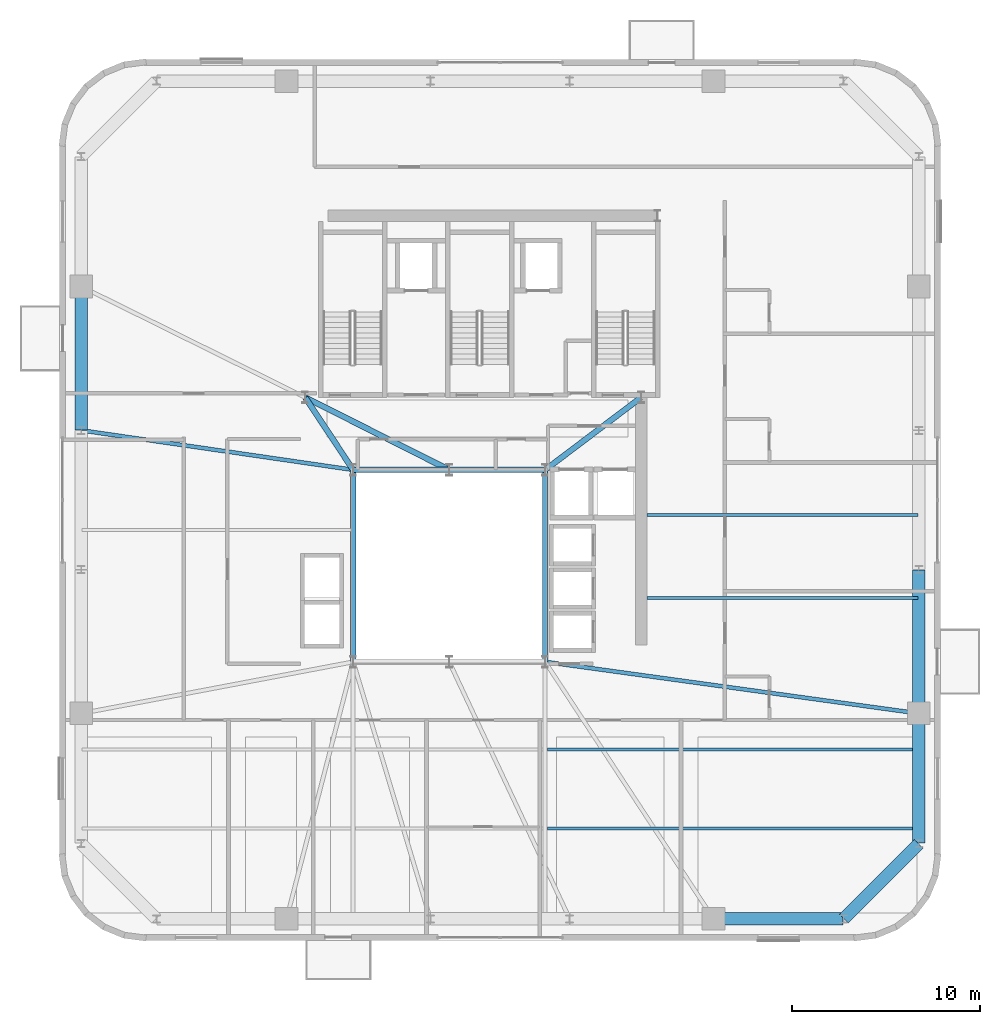
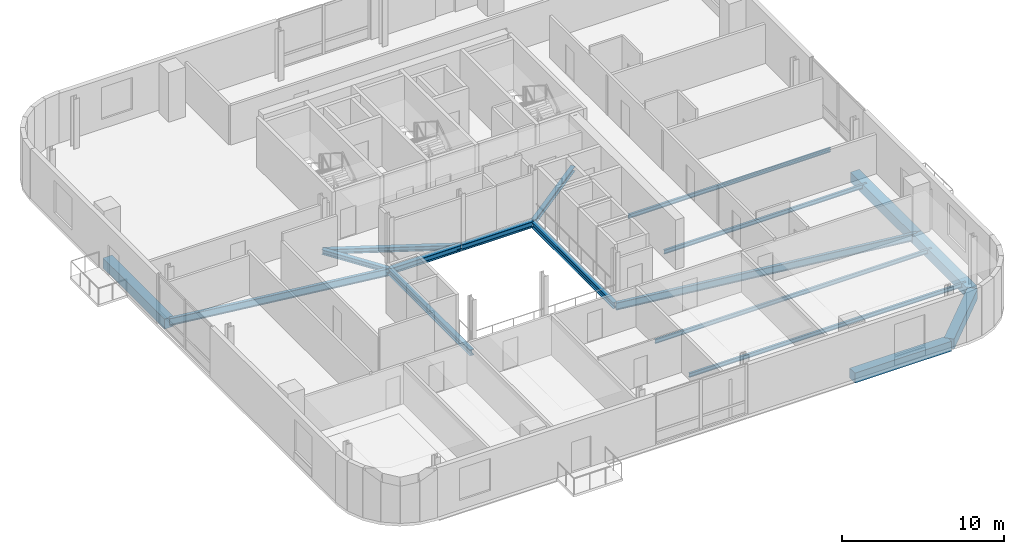
# One storey, part 4 of 15: 18 beams.
"""IFC4 building model written with IfcOpenShell, lengths in metres."""

from ifc_helpers import new_model, si_unit, direction, frame, origin, origin_2d, place, context, subcontext, project, spatial, rectangle, i_section, extrude, source, transform, mapped, material, material_profile, profile_set, type_object, element, save


model = new_model("IFC4")

# Units and contexts
model_context = context("Model", 3, precision=1e-05, world=origin(), true_north=direction((0.0, 1.0)))
body_context = subcontext(model_context, "Body", "Model", "MODEL_VIEW")
ifc_project = project(units=[si_unit("LENGTHUNIT", "METRE"), si_unit("AREAUNIT", "SQUARE_METRE"), si_unit("VOLUMEUNIT", "CUBIC_METRE"), si_unit("PLANEANGLEUNIT", "RADIAN"), si_unit("MASSUNIT", "GRAM", prefix="KILO")], contexts=[model_context])

# Site, building, storey
site_placement = place(None, origin())
site = spatial("IfcSite", under=ifc_project, at=site_placement, CompositionType="ELEMENT")
building_placement = place(site_placement, origin())
building = spatial("IfcBuilding", under=site, at=building_placement, Name="Vardaveli Station Tower", CompositionType="ELEMENT")
storey_placement = place(building_placement, frame((0.0, 0.0, 246.64990234375)))
storey = spatial("IfcBuildingStorey", under=building, at=storey_placement, Name="L63", CompositionType="ELEMENT", Elevation=246.64990234375)

# Beams
ifc_material_1 = material(Name="Structural steel S355J2", Category="steel")
ifc_material_profile_1 = material_profile(ifc_material_1, i_section(OverallWidth=0.300048828125, OverallDepth=0.449951171875, WebThickness=0.013916015625, FlangeThickness=0.02587890625, FilletRadius=0.027099609375, at=origin_2d()), Name="HEB 450")
ifc_profile_set_1 = profile_set([ifc_material_profile_1], Name="Structural steel S355J2")
beam_type_1 = type_object("IfcBeamType", Name="BM-HEB450", PredefinedType="BEAM", material=ifc_profile_set_1)
shared_shape_1 = source(origin(), body_context, "Body", "SweptSolid", [
    extrude(i_section(OverallWidth=0.300048828125, OverallDepth=0.449951171875, WebThickness=0.013916015625, FlangeThickness=0.02587890625, FilletRadius=0.027099609375, at=origin_2d()), origin(), (0.0, 0.0, 1.0), 5.06005859375),
])
beam_1_placement = place(storey_placement, frame((36.280029296875, 26.800048828125, -0.44482421875), z_axis=(-1.0, 0.0, 0.0), x_axis=(0.0, -1.0, 0.0)))
element("IfcBeam", 1, at=beam_1_placement, inside=storey, type_object=beam_type_1, Name="ABM-L63-05", PredefinedType="BEAM", context=body_context, shape_type="MappedRepresentation", body=[
    mapped(shared_shape_1, transform((0.0, 0.0, 0.0), scale=1.0)),
])
shared_shape_2 = source(origin(), body_context, "Body", "SweptSolid", [
    extrude(i_section(OverallWidth=0.300048828125, OverallDepth=0.449951171875, WebThickness=0.013916015625, FlangeThickness=0.02587890625, FilletRadius=0.027099609375, at=origin_2d()), origin(), (0.0, 0.0, 1.0), 5.059814453125),
])
beam_2_placement = place(storey_placement, frame((41.3798828125, 26.800048828125, -0.44482421875), z_axis=(-1.0, 0.0, 0.0), x_axis=(0.0, -1.0, 0.0)))
element("IfcBeam", 2, at=beam_2_placement, inside=storey, type_object=beam_type_1, Name="ABM-L63-04", PredefinedType="BEAM", context=body_context, shape_type="MappedRepresentation", body=[
    mapped(shared_shape_2, transform((0.0, 0.0, 0.0), scale=1.0)),
])
shared_shape_3 = source(origin(), body_context, "Body", "SweptSolid", [
    extrude(i_section(OverallWidth=0.300048828125, OverallDepth=0.449951171875, WebThickness=0.013916015625, FlangeThickness=0.02587890625, FilletRadius=0.027099609375, at=origin_2d()), origin(), (0.0, 0.0, 1.0), 10.159912109375),
])
for number, where, z_axis, x_axis, name in (
    (3, (41.39990234375, 16.6201171875, -0.44482421875), (0.0, 1.0, 0.0), (-1.0, 0.0, 0.0), "ABM-L63-03"),
    (4, (31.199951171875, 26.780029296875, -0.44482421875), (0.0, -1.0, 0.0), (1.0, 0.0, 0.0), "ABM-L63-06"),
):
    element("IfcBeam", number, at=place(storey_placement, frame(where, z_axis=z_axis, x_axis=x_axis)), inside=storey, type_object=beam_type_1, Name=name, PredefinedType="BEAM", context=body_context, shape_type="MappedRepresentation", body=[
        mapped(shared_shape_3, transform((0.0, 0.0, 0.0), scale=1.0)),
    ])
ifc_material_profile_2 = material_profile(ifc_material_1, i_section(OverallWidth=0.300048828125, OverallDepth=0.360107421875, WebThickness=0.012451171875, FlangeThickness=0.0224609375, FilletRadius=0.027099609375, at=origin_2d()), Name="HEB 360")
ifc_profile_set_2 = profile_set([ifc_material_profile_2], Name="Structural steel S355J2")
beam_type_2 = type_object("IfcBeamType", Name="BM-HEB360", PredefinedType="BEAM", material=ifc_profile_set_2)
shared_shape_4 = source(origin(), body_context, "Body", "SweptSolid", [
    extrude(i_section(OverallWidth=0.300048828125, OverallDepth=0.360107421875, WebThickness=0.012451171875, FlangeThickness=0.0224609375, FilletRadius=0.027099609375, at=origin_2d()), origin(), (0.0, 0.0, 1.0), 4.577880859375),
])
beam_3_placement = place(storey_placement, frame((31.18896484375, 26.816650390625, -0.39990234375), z_axis=(-0.55218702139, 0.833720272879, 0.0), x_axis=(-0.833720272879, -0.55218702139, 0.0)))
element("IfcBeam", 5, at=beam_3_placement, inside=storey, type_object=beam_type_2, Name="CBM-L63-01", PredefinedType="BEAM", context=body_context, shape_type="MappedRepresentation", body=[
    mapped(shared_shape_4, transform((0.0, 0.0, 0.0), scale=1.0)),
])
shared_shape_5 = source(origin(), body_context, "Body", "SweptSolid", [
    extrude(i_section(OverallWidth=0.300048828125, OverallDepth=0.360107421875, WebThickness=0.012451171875, FlangeThickness=0.0224609375, FilletRadius=0.027099609375, at=origin_2d()), origin(), (0.0, 0.0, 1.0), 6.35009765625),
])
beam_4_placement = place(storey_placement, frame((41.416015625, 26.81201171875, -0.39990234375), z_axis=(0.798118337722, 0.602500721154, 0.0), x_axis=(-0.602500721154, 0.798118337722, 0.0)))
element("IfcBeam", 6, at=beam_4_placement, inside=storey, type_object=beam_type_2, Name="CBM-L63-02", PredefinedType="BEAM", context=body_context, shape_type="MappedRepresentation", body=[
    mapped(shared_shape_5, transform((0.0, 0.0, 0.0), scale=1.0)),
])
shared_shape_6 = source(origin(), body_context, "Body", "SweptSolid", [
    extrude(i_section(OverallWidth=0.300048828125, OverallDepth=0.360107421875, WebThickness=0.012451171875, FlangeThickness=0.0224609375, FilletRadius=0.027099609375, at=origin_2d()), origin(), (0.0, 0.0, 1.0), 8.524169921875),
])
beam_5_placement = place(storey_placement, frame((28.66796875, 30.64111328125, -0.39990234375), z_axis=(0.893255584708, -0.449549174605, 0.0), x_axis=(0.449549174605, 0.893255584708, 0.0)))
element("IfcBeam", 7, at=beam_5_placement, inside=storey, type_object=beam_type_2, Name="CBM-L63-03", PredefinedType="BEAM", context=body_context, shape_type="MappedRepresentation", body=[
    mapped(shared_shape_6, transform((0.0, 0.0, 0.0), scale=1.0)),
])
ifc_material_2 = material(Name="Precast concrete C45/55", Category="concrete")
ifc_material_profile_3 = material_profile(ifc_material_2, rectangle(XDim=0.64990234375, YDim=0.75, at=origin_2d()), Name="LPB 650x750")
ifc_profile_set_3 = profile_set([ifc_material_profile_3], Name="Precast concrete C45/55")
beam_type_3 = type_object("IfcBeamType", Name="BM-LPB-750", PredefinedType="BEAM", material=ifc_profile_set_3)
shared_shape_7 = source(origin(), body_context, "Body", "SweptSolid", [
    extrude(rectangle(XDim=0.64990234375, YDim=0.75, at=origin_2d()), origin(), (0.0, 0.0, 1.0), 7.60009765625),
])
for number, where, z_axis, x_axis, name in (
    (8, (61.25, 13.8798828125, -0.594970703125), (0.0, 1.0, 0.0), (-1.0, 0.0, 0.0), "RBM-L63-07"),
    (9, (16.75, 36.52001953125, -0.594970703125), (0.0, -1.0, 0.0), (1.0, 0.0, 0.0), "RBM-L63-19"),
):
    element("IfcBeam", number, at=place(storey_placement, frame(where, z_axis=z_axis, x_axis=x_axis)), inside=storey, type_object=beam_type_3, Name=name, PredefinedType="BEAM", context=body_context, shape_type="MappedRepresentation", body=[
        mapped(shared_shape_7, transform((0.0, 0.0, 0.0), scale=1.0)),
    ])
shared_shape_8 = source(origin(), body_context, "Body", "SweptSolid", [
    extrude(rectangle(XDim=0.64990234375, YDim=0.75, at=origin_2d()), origin(), (0.0, 0.0, 1.0), 6.869873046875),
])
beam_6_placement = place(storey_placement, frame((50.360107421875, 2.949951171875, -0.594970703125), z_axis=(1.0, 0.0, 0.0), x_axis=(0.0, 1.0, 0.0)))
element("IfcBeam", 10, at=beam_6_placement, inside=storey, type_object=beam_type_3, Name="RBM-L63-04", PredefinedType="BEAM", context=body_context, shape_type="MappedRepresentation", body=[
    mapped(shared_shape_8, transform((0.0, 0.0, 0.0), scale=1.0)),
])
shared_shape_9 = source(origin(), body_context, "Body", "SweptSolid", [
    extrude(rectangle(XDim=0.64990234375, YDim=0.75, at=origin_2d()), origin(), (0.0, 0.0, 1.0), 5.61669921875),
])
beam_7_placement = place(storey_placement, frame((57.26416015625, 2.964111328125, -0.594970703125), z_axis=(0.707106781187, 0.707106781187, 0.0), x_axis=(-0.707106781187, 0.707106781187, 0.0)))
element("IfcBeam", 11, at=beam_7_placement, inside=storey, type_object=beam_type_3, Name="RBM-L63-05", PredefinedType="BEAM", context=body_context, shape_type="MappedRepresentation", body=[
    mapped(shared_shape_9, transform((0.0, 0.0, 0.0), scale=1.0)),
])
shared_shape_10 = source(origin(), body_context, "Body", "SweptSolid", [
    extrude(rectangle(XDim=0.64990234375, YDim=0.75, at=origin_2d()), origin(), (0.0, 0.0, 1.0), 6.8701171875),
])
beam_8_placement = place(storey_placement, frame((61.25, 6.969970703125, -0.594970703125), z_axis=(0.0, 1.0, 0.0), x_axis=(-1.0, 0.0, 0.0)))
element("IfcBeam", 12, at=beam_8_placement, inside=storey, type_object=beam_type_3, Name="RBM-L63-06", PredefinedType="BEAM", context=body_context, shape_type="MappedRepresentation", body=[
    mapped(shared_shape_10, transform((0.0, 0.0, 0.0), scale=1.0)),
])
ifc_material_profile_4 = material_profile(ifc_material_1, i_section(OverallWidth=0.2099609375, OverallDepth=0.550048828125, WebThickness=0.010986328125, FlangeThickness=0.01708984375, FilletRadius=0.02392578125, at=origin_2d()), Name="IPE 550")
ifc_profile_set_4 = profile_set([ifc_material_profile_4], Name="Structural steel S355J2")
beam_type_4 = type_object("IfcBeamType", Name="BM-IPE550", PredefinedType="BEAM", material=ifc_profile_set_4)
shared_shape_11 = source(origin(), body_context, "Body", "SweptSolid", [
    extrude(i_section(OverallWidth=0.2099609375, OverallDepth=0.550048828125, WebThickness=0.010986328125, FlangeThickness=0.01708984375, FilletRadius=0.02392578125, at=origin_2d()), origin(), (0.0, 0.0, 1.0), 19.998046875),
])
beam_9_placement = place(storey_placement, frame((61.230224609375, 13.86279296875, -0.494873046875), z_axis=(-0.9906081331, 0.136731586098, 0.0), x_axis=(-0.136731586098, -0.9906081331, 0.0)))
element("IfcBeam", 13, at=beam_9_placement, inside=storey, type_object=beam_type_4, Name="GBM-L63-05", PredefinedType="BEAM", context=body_context, shape_type="MappedRepresentation", body=[
    mapped(shared_shape_11, transform((0.0, 0.0, 0.0), scale=1.0)),
])
shared_shape_12 = source(origin(), body_context, "Body", "SweptSolid", [
    extrude(i_section(OverallWidth=0.2099609375, OverallDepth=0.550048828125, WebThickness=0.010986328125, FlangeThickness=0.01708984375, FilletRadius=0.02392578125, at=origin_2d()), origin(), (0.0, 0.0, 1.0), 14.561767578125),
])
beam_10_placement = place(storey_placement, frame((16.769775390625, 28.897216796875, -0.494873046875), z_axis=(0.989604234236, -0.143817452288, 0.0), x_axis=(0.143817452288, 0.989604234236, 0.0)))
element("IfcBeam", 14, at=beam_10_placement, inside=storey, type_object=beam_type_4, Name="GBM-L63-08", PredefinedType="BEAM", context=body_context, shape_type="MappedRepresentation", body=[
    mapped(shared_shape_12, transform((0.0, 0.0, 0.0), scale=1.0)),
])
ifc_material_profile_5 = material_profile(ifc_material_1, i_section(OverallWidth=0.14990234375, OverallDepth=0.300048828125, WebThickness=0.007080078125, FlangeThickness=0.0107421875, FilletRadius=0.014892578125, at=origin_2d()), Name="IPE 300")
ifc_profile_set_5 = profile_set([ifc_material_profile_5], Name="Structural steel S355J2")
beam_type_5 = type_object("IfcBeamType", Name="BM-IPE300", PredefinedType="JOIST", material=ifc_profile_set_5)
shared_shape_13 = source(origin(), body_context, "Body", "SweptSolid", [
    extrude(i_section(OverallWidth=0.14990234375, OverallDepth=0.300048828125, WebThickness=0.007080078125, FlangeThickness=0.0107421875, FilletRadius=0.014892578125, at=origin_2d()), origin(), (0.0, 0.0, 1.0), 19.697998046875),
])
for number, where, z_axis, x_axis, name in (
    (15, (41.511962890625, 7.75, -0.369873046875), (1.0, 0.0, 0.0), (0.0, 1.0, 0.0), "SJ-L63-S03"),
    (16, (41.511962890625, 11.949951171875, -0.369873046875), (1.0, 0.0, 0.0), (0.0, 1.0, 0.0), "SJ-L63-S06"),
):
    element("IfcBeam", number, at=place(storey_placement, frame(where, z_axis=z_axis, x_axis=x_axis)), inside=storey, type_object=beam_type_5, Name=name, PredefinedType="JOIST", context=body_context, shape_type="MappedRepresentation", body=[
        mapped(shared_shape_13, transform((0.0, 0.0, 0.0), scale=1.0)),
    ])
shared_shape_14 = source(origin(), body_context, "Body", "SweptSolid", [
    extrude(i_section(OverallWidth=0.14990234375, OverallDepth=0.300048828125, WebThickness=0.007080078125, FlangeThickness=0.0107421875, FilletRadius=0.014892578125, at=origin_2d()), origin(), (0.0, 0.0, 1.0), 14.405029296875),
])
for number, where, z_axis, x_axis, name in (
    (17, (46.804931640625, 20.0, -0.369873046875), (1.0, 0.0, 0.0), (0.0, 1.0, 0.0), "SJ-L63-E09"),
    (18, (46.804931640625, 24.39990234375, -0.369873046875), (1.0, 0.0, 0.0), (0.0, 1.0, 0.0), "SJ-L63-E10"),
):
    element("IfcBeam", number, at=place(storey_placement, frame(where, z_axis=z_axis, x_axis=x_axis)), inside=storey, type_object=beam_type_5, Name=name, PredefinedType="JOIST", context=body_context, shape_type="MappedRepresentation", body=[
        mapped(shared_shape_14, transform((0.0, 0.0, 0.0), scale=1.0)),
    ])

save(model, "model.ifc")
